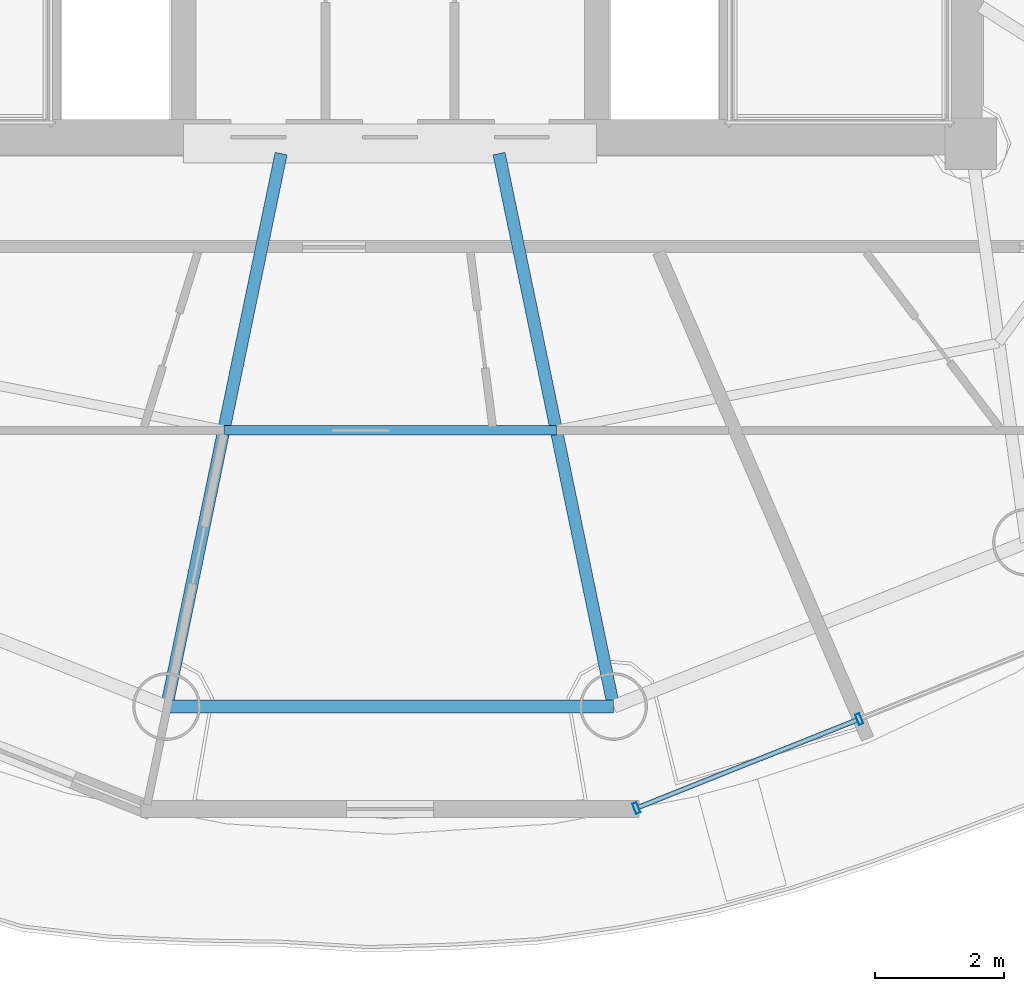
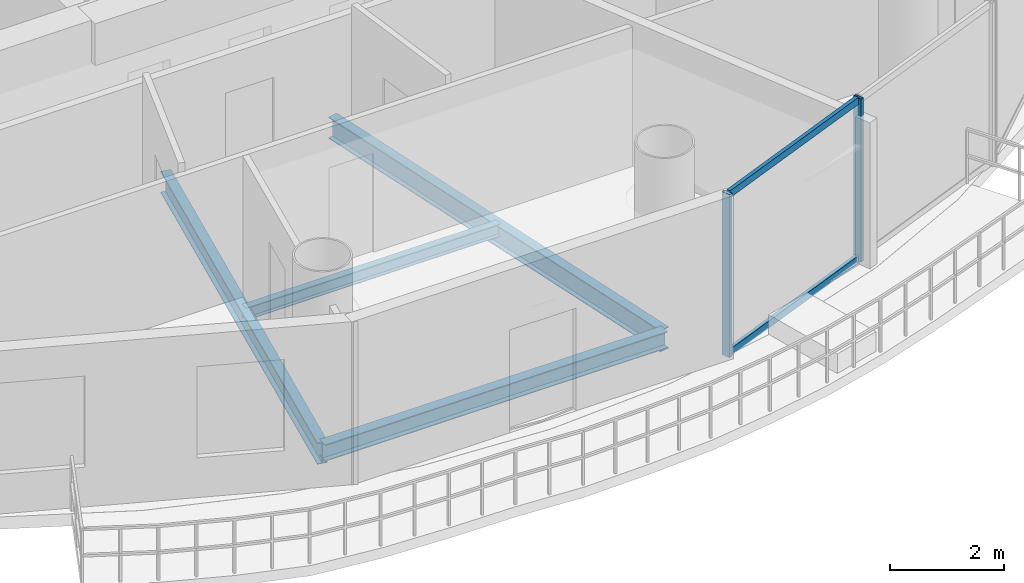
# One storey, part 5 of 24: 4 beams, 4 members, 1 element without a shape of its own.
"""IFC4 building model written with IfcOpenShell, lengths in metres."""

from ifc_helpers import new_model, si_unit, direction, frame, origin, origin_2d, place, context, subcontext, project, spatial, hollow_rectangle, i_section, extrude, source, transform, mapped, material, material_profile, profile_set, type_object, element, aggregate, save


model = new_model("IFC4")

# Units and contexts
model_context = context("Model", 3, precision=1e-05, world=origin(), true_north=direction((-0.2419218956, 0.970295726276)))
body_context = subcontext(model_context, "Body", "Model", "MODEL_VIEW")
ifc_project = project(units=[si_unit("LENGTHUNIT", "METRE"), si_unit("AREAUNIT", "SQUARE_METRE"), si_unit("VOLUMEUNIT", "CUBIC_METRE"), si_unit("PLANEANGLEUNIT", "RADIAN"), si_unit("MASSUNIT", "GRAM", prefix="KILO")], contexts=[model_context])

# Site, building, storey
site_placement = place(None, origin())
site = spatial("IfcSite", under=ifc_project, at=site_placement, CompositionType="ELEMENT")
building_placement = place(site_placement, origin())
building = spatial("IfcBuilding", under=site, at=building_placement, Name="Cobrevalo Terracotta Tower", CompositionType="ELEMENT")
storey_placement = place(building_placement, frame((0.0, 0.0, 270.699951171875)))
storey = spatial("IfcBuildingStorey", under=building, at=storey_placement, Name="L71", CompositionType="ELEMENT", Elevation=270.699951171875)

# Beams
ifc_material_1 = material(Name="Steel S355", Category="steel")
ifc_material_profile_1 = material_profile(ifc_material_1, i_section(OverallWidth=0.19091796875, OverallDepth=0.4599609375, WebThickness=0.010009765625, FlangeThickness=0.01611328125, at=origin_2d()), Name="W 460x82")
ifc_profile_set_1 = profile_set([ifc_material_profile_1], Name="Steel S355")
beam_type_1 = type_object("IfcBeamType", Name="Structural Beam W 460x82 (Steel S355)", PredefinedType="BEAM", material=ifc_profile_set_1)
for number, where, z_axis, x_axis, name in (
    (1, (34.537109375, 10.07763671875, -0.489990234375), (0.202781841237, 0.9792239401, 0.0), (-0.9792239401, 0.202781841237, 0.0), "L71 radial floor girder 12"),
    (2, (41.462890625, 10.07763671875, -0.489990234375), (-0.202781841237, 0.9792239401, 0.0), (-0.9792239401, -0.202781841237, 0.0), "L71 radial floor girder 13"),
):
    element("IfcBeam", number, at=place(storey_placement, frame(where, z_axis=z_axis, x_axis=x_axis)), inside=storey, type_object=beam_type_1, Name=name, PredefinedType="BEAM", context=body_context, shape_type="SweptSolid", body=[
        extrude(i_section(OverallWidth=0.19091796875, OverallDepth=0.4599609375, WebThickness=0.010009765625, FlangeThickness=0.01611328125, at=origin_2d()), origin(), (0.0, 0.0, 1.0), 8.749267578125),
    ])
ifc_material_profile_2 = material_profile(ifc_material_1, i_section(OverallWidth=0.14794921875, OverallDepth=0.26611328125, WebThickness=0.007568359375, FlangeThickness=0.012939453125, at=origin_2d()), Name="W 250x44.8")
ifc_profile_set_2 = profile_set([ifc_material_profile_2], Name="Steel S355")
beam_type_2 = type_object("IfcBeamType", Name="Structural Joist W 250x44.8 (Steel S355)", PredefinedType="JOIST", material=ifc_profile_set_2)
beam_1_placement = place(storey_placement, frame((35.42431640625, 14.361328125, -0.39306640625), z_axis=(1.0, 0.0, 0.0), x_axis=(0.0, 1.0, 0.0)))
element("IfcBeam", 3, at=beam_1_placement, inside=storey, type_object=beam_type_2, Name="L71 circumferential secondary floor joist 12", PredefinedType="JOIST", context=body_context, shape_type="SweptSolid", body=[
    extrude(i_section(OverallWidth=0.14794921875, OverallDepth=0.26611328125, WebThickness=0.007568359375, FlangeThickness=0.012939453125, at=origin_2d()), origin(), (0.0, 0.0, 1.0), 5.1513671875),
])
ifc_material_profile_3 = material_profile(ifc_material_1, i_section(OverallWidth=0.205078125, OverallDepth=0.35400390625, WebThickness=0.009521484375, FlangeThickness=0.016845703125, at=origin_2d()), Name="W 360x79")
ifc_profile_set_3 = profile_set([ifc_material_profile_3], Name="Steel S355")
beam_type_3 = type_object("IfcBeamType", Name="Structural Spandrel W 360x79 (Steel S355)", PredefinedType="SPANDREL", material=ifc_profile_set_3)
beam_2_placement = place(storey_placement, frame((34.537109375, 10.07763671875, -0.43701171875), z_axis=(1.0, 0.0, 0.0), x_axis=(0.0, 1.0, 0.0)))
element("IfcBeam", 4, at=beam_2_placement, inside=storey, type_object=beam_type_3, Name="L71 perimeter ring spandrel 12", PredefinedType="SPANDREL", context=body_context, shape_type="SweptSolid", body=[
    extrude(i_section(OverallWidth=0.205078125, OverallDepth=0.35400390625, WebThickness=0.009521484375, FlangeThickness=0.016845703125, at=origin_2d()), origin(), (0.0, 0.0, 1.0), 6.92578125),
])

# Curtain wall, members
ifc_material_2 = material(Name="Anodized aluminium", Category="aluminium")
curtain_wall_type = type_object("IfcCurtainWallType", Name="Upper-tower triple-glazed penthouse curtain wall CW-U3", PredefinedType="NOTDEFINED", material=ifc_material_2)
curtain_wall_placement = place(storey_placement, origin())
curtain_wall = element("IfcCurtainWall", 5, at=curtain_wall_placement, inside=storey, type_object=curtain_wall_type, Name="L71 curtain wall CW-L71-S13", PredefinedType="NOTDEFINED")
ifc_material_profile_4 = material_profile(ifc_material_2, hollow_rectangle(XDim=0.070068359375, YDim=0.169921875, WallThickness=0.00439453125, at=origin_2d()), Name="CWM 70x170")
ifc_profile_set_4 = profile_set([ifc_material_profile_4], Name="Anodized aluminium")
member_type_1 = type_object("IfcMemberType", Name="Upper tower unitised mullion 70x170", PredefinedType="MULLION", material=ifc_profile_set_4)
shared_shape_1 = source(origin(), body_context, "Body", "SweptSolid", [
    extrude(hollow_rectangle(XDim=0.070068359375, YDim=0.169921875, WallThickness=0.00439453125, at=origin_2d()), origin(), (0.0, 0.0, 1.0), 3.489990234375),
])
member_1_placement = place(storey_placement, frame((41.816162109375, 8.503662109375, 0.0), z_axis=(0.0, 0.0, 1.0), x_axis=(0.928718980883, 0.370784377433, 0.0)))
member_1 = element("IfcMember", 6, at=member_1_placement, type_object=member_type_1, Name="CW-L71-S13 vertical mullion 01", PredefinedType="MULLION", context=body_context, shape_type="MappedRepresentation", body=[
    mapped(shared_shape_1, transform((0.0, 0.0, 0.0), scale=1.0)),
])
member_2_placement = place(storey_placement, frame((45.270263671875, 9.882568359375, 0.0), z_axis=(0.0, 0.0, 1.0), x_axis=(0.928718980883, 0.370784377433, 0.0)))
member_2 = element("IfcMember", 7, at=member_2_placement, type_object=member_type_1, Name="CW-L71-S13 vertical mullion 02", PredefinedType="MULLION", context=body_context, shape_type="MappedRepresentation", body=[
    mapped(shared_shape_1, transform((0.0, 0.0, 0.0), scale=1.0)),
])
ifc_material_profile_5 = material_profile(ifc_material_2, hollow_rectangle(XDim=0.074951171875, YDim=0.14990234375, WallThickness=0.00439453125, at=origin_2d()), Name="CWT 75x150")
ifc_profile_set_5 = profile_set([ifc_material_profile_5], Name="Anodized aluminium")
member_type_2 = type_object("IfcMemberType", Name="Tower unitised aluminium transom 75x150", PredefinedType="USERDEFINED", material=ifc_profile_set_5)
shared_shape_2 = source(origin(), body_context, "Body", "SweptSolid", [
    extrude(hollow_rectangle(XDim=0.074951171875, YDim=0.14990234375, WallThickness=0.00439453125, at=origin_2d()), origin(), (0.0, 0.0, 1.0), 3.63916015625),
])
member_3_placement = place(storey_placement, frame((41.853271484375, 8.518310546875, 0.050048828125), z_axis=(0.928712471544, 0.370800681227, 0.0), x_axis=(-0.370800681227, 0.928712471544, 0.0)))
member_3 = element("IfcMember", 8, at=member_3_placement, type_object=member_type_2, Name="CW-L71-S13 transom B01-T1", ObjectType="TRANSOM", PredefinedType="USERDEFINED", context=body_context, shape_type="MappedRepresentation", body=[
    mapped(shared_shape_2, transform((0.0, 0.0, 0.0), scale=1.0)),
])
member_4_placement = place(storey_placement, frame((41.853271484375, 8.518310546875, 3.43994140625), z_axis=(0.928712471544, 0.370800681227, 0.0), x_axis=(-0.370800681227, 0.928712471544, 0.0)))
member_4 = element("IfcMember", 9, at=member_4_placement, type_object=member_type_2, Name="CW-L71-S13 transom B01-T2", ObjectType="TRANSOM", PredefinedType="USERDEFINED", context=body_context, shape_type="MappedRepresentation", body=[
    mapped(shared_shape_2, transform((0.0, 0.0, 0.0), scale=1.0)),
])
aggregate(curtain_wall, [member_1, member_2, member_3, member_4])

save(model, "model.ifc")
